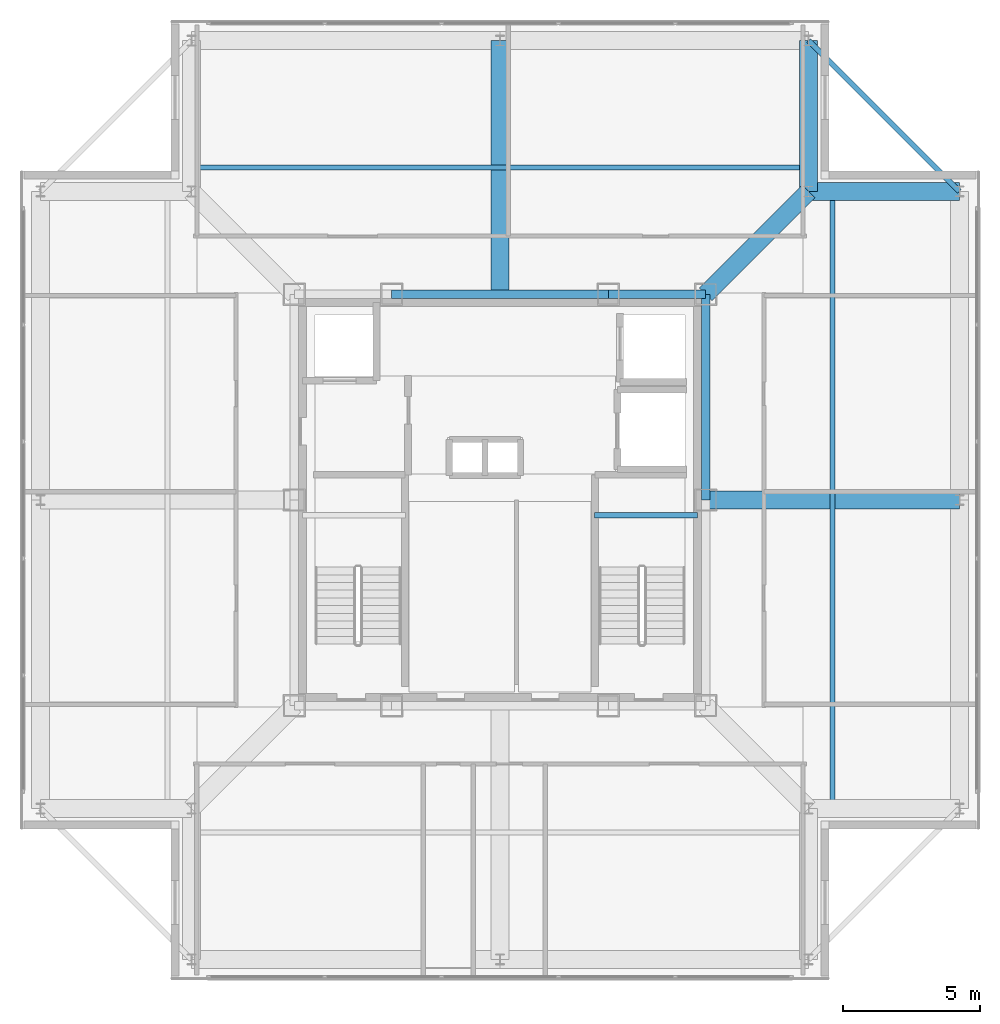
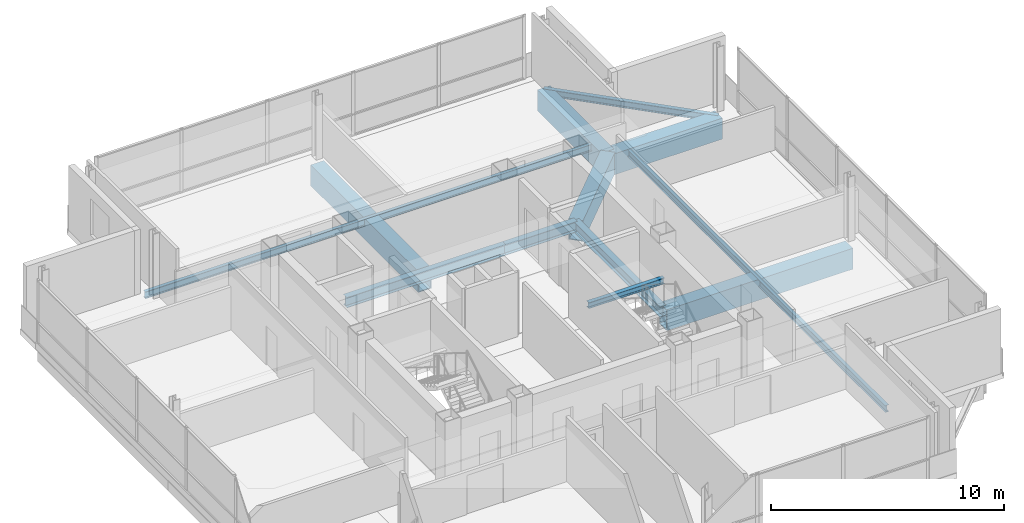
# One storey, part 5 of 12: 12 beams.
"""IFC4 building model written with IfcOpenShell, lengths in metres."""

from ifc_helpers import new_model, si_unit, direction, frame, origin, origin_2d, place, context, subcontext, project, spatial, hollow_rectangle, i_section, extrude, material, material_profile, profile_set, type_object, element, save


model = new_model("IFC4")

# Units and contexts
model_context = context("Model", 3, precision=1e-05, world=origin(), true_north=direction((0.0, 1.0)))
body_context = subcontext(model_context, "Body", "Model", "MODEL_VIEW")
ifc_project = project(units=[si_unit("LENGTHUNIT", "METRE"), si_unit("AREAUNIT", "SQUARE_METRE"), si_unit("VOLUMEUNIT", "CUBIC_METRE"), si_unit("PLANEANGLEUNIT", "RADIAN"), si_unit("MASSUNIT", "GRAM", prefix="KILO")], contexts=[model_context])

# Site, building, storey
site_placement = place(None, origin())
site = spatial("IfcSite", under=ifc_project, at=site_placement, CompositionType="ELEMENT")
building_placement = place(site_placement, origin())
building = spatial("IfcBuilding", under=site, at=building_placement, Name="Trevonay Congress Spire", CompositionType="ELEMENT")
storey_placement = place(building_placement, frame((0.0, 0.0, 304.60009765625)))
storey = spatial("IfcBuildingStorey", under=building, at=storey_placement, Name="L80", CompositionType="ELEMENT", Elevation=304.60009765625)

# Beams
ifc_material = material(Name="Steel ASTM A572 Grade 50", Category="steel")
ifc_material_profile_1 = material_profile(ifc_material, i_section(OverallWidth=0.31201171875, OverallDepth=0.54296875, WebThickness=0.0126953125, FlangeThickness=0.020263671875, FilletRadius=0.014892578125, at=origin_2d()), Name="W530x150")
ifc_profile_set_1 = profile_set([ifc_material_profile_1], Name="Steel ASTM A572 Grade 50")
beam_type_1 = type_object("IfcBeamType", Name="BM-GIRD-W530X150", PredefinedType="BEAM", material=ifc_profile_set_1)
beam_1_placement = place(storey_placement, frame((-3.949951171875, 7.5, -0.551513671875), z_axis=(1.0, 0.0, 0.0), x_axis=(0.0, 1.0, 0.0)))
element("IfcBeam", 1, at=beam_1_placement, inside=storey, type_object=beam_type_1, Name="L80 structural beam BM-L80-CR-N2", PredefinedType="BEAM", context=body_context, shape_type="SweptSolid", body=[
    extrude(i_section(OverallWidth=0.31201171875, OverallDepth=0.54296875, WebThickness=0.0126953125, FlangeThickness=0.020263671875, FilletRadius=0.014892578125, at=origin_2d()), origin(), (0.0, 0.0, 1.0), 7.89990234375),
])
beam_2_placement = place(storey_placement, frame((3.949951171875, 7.5, -0.551513671875), z_axis=(1.0, 0.0, 0.0), x_axis=(0.0, 1.0, 0.0)))
element("IfcBeam", 2, at=beam_2_placement, inside=storey, type_object=beam_type_1, Name="L80 structural beam BM-L80-CR-N3", PredefinedType="BEAM", context=body_context, shape_type="SweptSolid", body=[
    extrude(i_section(OverallWidth=0.31201171875, OverallDepth=0.54296875, WebThickness=0.0126953125, FlangeThickness=0.020263671875, FilletRadius=0.014892578125, at=origin_2d()), origin(), (0.0, 0.0, 1.0), 3.550048828125),
])
beam_3_placement = place(storey_placement, frame((7.5, 0.0, -0.551513671875), z_axis=(0.0, 1.0, 0.0), x_axis=(-1.0, 0.0, 0.0)))
element("IfcBeam", 3, at=beam_3_placement, inside=storey, type_object=beam_type_1, Name="L80 structural beam BM-L80-CR-E2", PredefinedType="BEAM", context=body_context, shape_type="SweptSolid", body=[
    extrude(i_section(OverallWidth=0.31201171875, OverallDepth=0.54296875, WebThickness=0.0126953125, FlangeThickness=0.020263671875, FilletRadius=0.014892578125, at=origin_2d()), origin(), (0.0, 0.0, 1.0), 7.5),
])
ifc_material_profile_2 = material_profile(ifc_material, hollow_rectangle(XDim=0.64990234375, YDim=1.10009765625, WallThickness=0.044921875, at=origin_2d()), Name="BOX 1100x650x45")
ifc_profile_set_2 = profile_set([ifc_material_profile_2], Name="Steel ASTM A572 Grade 50")
beam_type_2 = type_object("IfcBeamType", Name="BM-RING-BOX1100", PredefinedType="BEAM", material=ifc_profile_set_2)
for number, where, z_axis, x_axis, name in (
    (4, (11.25, 16.75, -0.830078125), (0.0, -1.0, 0.0), (1.0, 0.0, 0.0), "L80 structural beam BM-L80-N1NE"),
    (5, (16.75, 11.25, -0.830078125), (-1.0, 0.0, 0.0), (0.0, -1.0, 0.0), "L80 structural beam BM-L80-N2NE"),
):
    element("IfcBeam", number, at=place(storey_placement, frame(where, z_axis=z_axis, x_axis=x_axis)), inside=storey, type_object=beam_type_2, Name=name, PredefinedType="BEAM", context=body_context, shape_type="SweptSolid", body=[
        extrude(hollow_rectangle(XDim=0.64990234375, YDim=1.10009765625, WallThickness=0.044921875, at=origin_2d()), origin(), (0.0, 0.0, 1.0), 5.5),
    ])
ifc_material_profile_3 = material_profile(ifc_material, hollow_rectangle(XDim=0.64990234375, YDim=1.10009765625, WallThickness=0.044921875, at=origin_2d()), Name="BOX 1100x650x45")
ifc_profile_set_3 = profile_set([ifc_material_profile_3], Name="Steel ASTM A572 Grade 50")
beam_type_3 = type_object("IfcBeamType", Name="BM-XFER-BOX1100", PredefinedType="BEAM", material=ifc_profile_set_3)
beam_4_placement = place(storey_placement, frame((7.5, 7.5, -0.830078125), z_axis=(0.707106781187, 0.707106781187, 0.0), x_axis=(-0.707106781187, 0.707106781187, 0.0)))
element("IfcBeam", 6, at=beam_4_placement, inside=storey, type_object=beam_type_3, Name="L80 structural beam BM-L80-CDNE", PredefinedType="BEAM", context=body_context, shape_type="SweptSolid", body=[
    extrude(hollow_rectangle(XDim=0.64990234375, YDim=1.10009765625, WallThickness=0.044921875, at=origin_2d()), origin(), (0.0, 0.0, 1.0), 5.30322265625),
])
for number, where, z_axis, x_axis, name in (
    (7, (0.0, 7.5, -0.830078125), (0.0, 1.0, 0.0), (-1.0, 0.0, 0.0), "L80 structural beam BM-L80-GC-N"),
    (8, (7.5, 0.0, -0.830078125), (1.0, 0.0, 0.0), (0.0, 1.0, 0.0), "L80 structural beam BM-L80-GC-E"),
):
    element("IfcBeam", number, at=place(storey_placement, frame(where, z_axis=z_axis, x_axis=x_axis)), inside=storey, type_object=beam_type_3, Name=name, PredefinedType="BEAM", context=body_context, shape_type="SweptSolid", body=[
        extrude(hollow_rectangle(XDim=0.64990234375, YDim=1.10009765625, WallThickness=0.044921875, at=origin_2d()), origin(), (0.0, 0.0, 1.0), 9.25),
    ])
ifc_material_profile_4 = material_profile(ifc_material, i_section(OverallWidth=0.172119140625, OverallDepth=0.35791015625, WebThickness=0.0078125, FlangeThickness=0.01318359375, FilletRadius=0.011962890625, at=origin_2d()), Name="W360x57.8")
ifc_profile_set_4 = profile_set([ifc_material_profile_4], Name="Steel ASTM A572 Grade 50")
beam_type_4 = type_object("IfcBeamType", Name="JS-COMP-W360X57", PredefinedType="JOIST", material=ifc_profile_set_4)
for number, where, z_axis, x_axis, name in (
    (9, (-11.25, 12.125, -0.458984375), (1.0, 0.0, 0.0), (0.0, 1.0, 0.0), "L80 structural beam JS-L80-RING-N"),
    (10, (12.125, -11.25, -0.458984375), (0.0, 1.0, 0.0), (-1.0, 0.0, 0.0), "L80 structural beam JS-L80-RING-E"),
):
    element("IfcBeam", number, at=place(storey_placement, frame(where, z_axis=z_axis, x_axis=x_axis)), inside=storey, type_object=beam_type_4, Name=name, PredefinedType="JOIST", context=body_context, shape_type="SweptSolid", body=[
        extrude(i_section(OverallWidth=0.172119140625, OverallDepth=0.35791015625, WebThickness=0.0078125, FlangeThickness=0.01318359375, FilletRadius=0.011962890625, at=origin_2d()), origin(), (0.0, 0.0, 1.0), 22.5),
    ])
ifc_material_profile_5 = material_profile(ifc_material, i_section(OverallWidth=0.2041015625, OverallDepth=0.305908203125, WebThickness=0.008544921875, FlangeThickness=0.0146484375, FilletRadius=0.010986328125, at=origin_2d()), Name="W310x67")
ifc_profile_set_5 = profile_set([ifc_material_profile_5], Name="Steel ASTM A572 Grade 50")
beam_type_5 = type_object("IfcBeamType", Name="LN-CORE-W310X67", PredefinedType="LINTEL", material=ifc_profile_set_5)
beam_5_placement = place(storey_placement, frame((3.449951171875, -0.550048828125, 1.546875), z_axis=(1.0, 0.0, 0.0), x_axis=(0.0, 1.0, 0.0)))
element("IfcBeam", 11, at=beam_5_placement, inside=storey, type_object=beam_type_5, Name="L80 structural beam BM-L80-HL-ST2", PredefinedType="LINTEL", context=body_context, shape_type="SweptSolid", body=[
    extrude(i_section(OverallWidth=0.2041015625, OverallDepth=0.305908203125, WebThickness=0.008544921875, FlangeThickness=0.0146484375, FilletRadius=0.010986328125, at=origin_2d()), origin(), (0.0, 0.0, 1.0), 3.75),
])
ifc_material_profile_6 = material_profile(ifc_material, i_section(OverallWidth=0.205078125, OverallDepth=0.35400390625, WebThickness=0.009521484375, FlangeThickness=0.016845703125, FilletRadius=0.011962890625, at=origin_2d()), Name="W360x79")
ifc_profile_set_6 = profile_set([ifc_material_profile_6], Name="Steel ASTM A572 Grade 50")
beam_type_6 = type_object("IfcBeamType", Name="SPB-HSS350", PredefinedType="SPANDREL", material=ifc_profile_set_6)
beam_6_placement = place(storey_placement, frame((11.25, 16.75, -0.45703125), z_axis=(0.707106781187, -0.707106781187, 0.0), x_axis=(0.707106781187, 0.707106781187, 0.0)))
element("IfcBeam", 12, at=beam_6_placement, inside=storey, type_object=beam_type_6, Name="L80 structural beam SPB-L80-NE", PredefinedType="SPANDREL", context=body_context, shape_type="SweptSolid", body=[
    extrude(i_section(OverallWidth=0.205078125, OverallDepth=0.35400390625, WebThickness=0.009521484375, FlangeThickness=0.016845703125, FilletRadius=0.011962890625, at=origin_2d()), origin(), (0.0, 0.0, 1.0), 7.778076171875),
])

save(model, "model.ifc")
